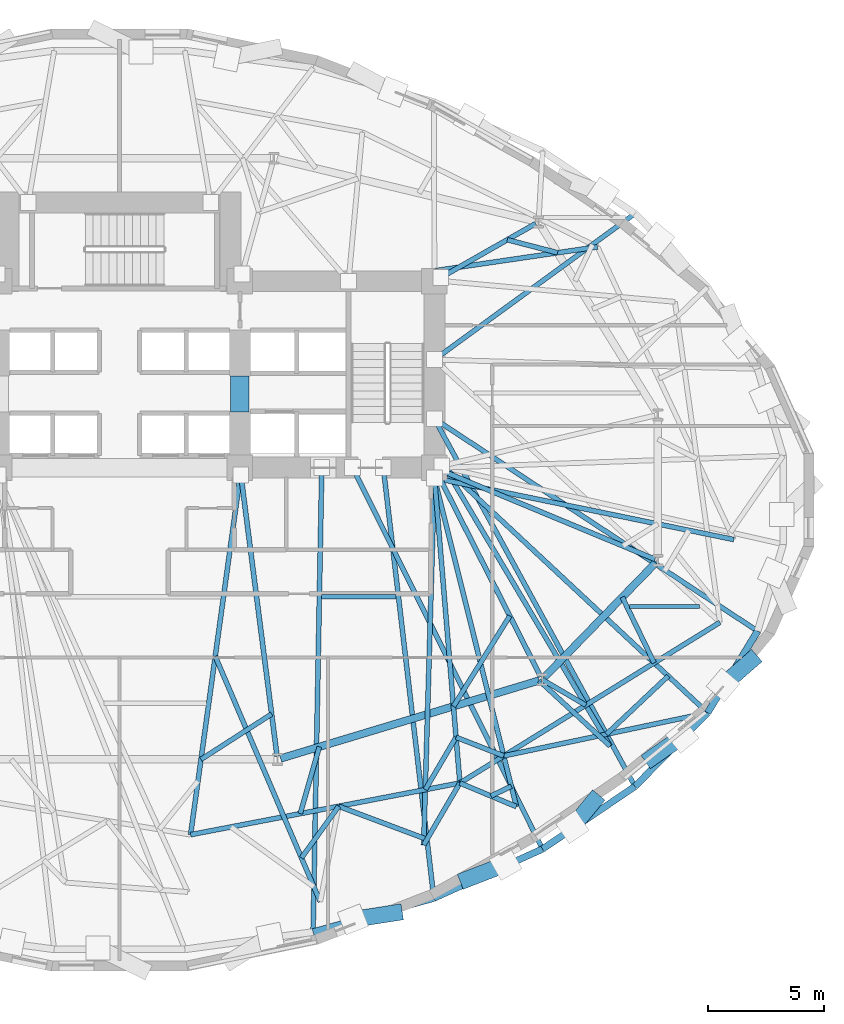
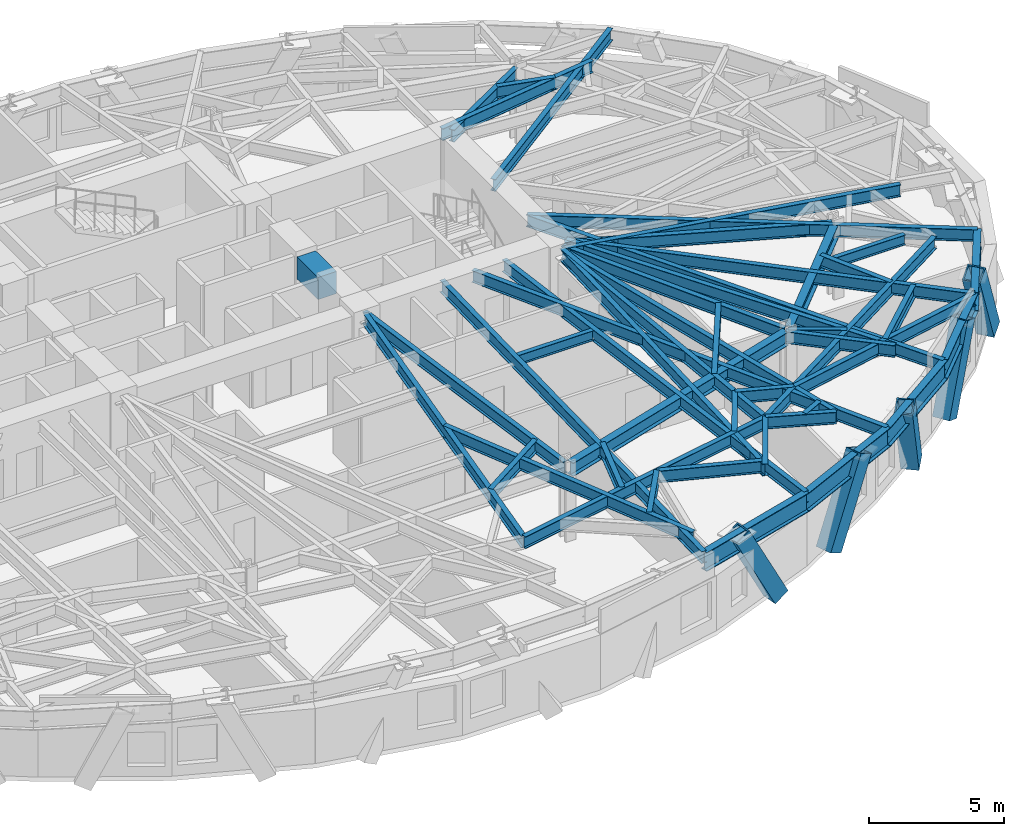
# One storey, part 3 of 14: 47 beams, 5 members.
"""IFC4 building model written with IfcOpenShell, lengths in metres."""

from ifc_helpers import new_model, si_unit, direction, frame, origin, origin_2d, place, context, subcontext, project, spatial, rectangle, hollow_rectangle, i_section, extrude, material, material_profile, profile_set, type_object, element, save


model = new_model("IFC4")

# Units and contexts
model_context = context("Model", 3, precision=1e-05, world=origin(), true_north=direction((0.0, 1.0)))
body_context = subcontext(model_context, "Body", "Model", "MODEL_VIEW")
ifc_project = project(units=[si_unit("LENGTHUNIT", "METRE"), si_unit("AREAUNIT", "SQUARE_METRE"), si_unit("VOLUMEUNIT", "CUBIC_METRE"), si_unit("PLANEANGLEUNIT", "RADIAN"), si_unit("MASSUNIT", "GRAM", prefix="KILO")], contexts=[model_context])

# Site, building, storey
site_placement = place(None, origin())
site = spatial("IfcSite", under=ifc_project, at=site_placement, CompositionType="ELEMENT")
building_placement = place(site_placement, origin())
building = spatial("IfcBuilding", under=site, at=building_placement, Name="Keldmark Tower", CompositionType="ELEMENT")
storey_placement = place(building_placement, frame((0.0, 0.0, 73.800048828125)))
storey = spatial("IfcBuildingStorey", under=building, at=storey_placement, Name="L19", CompositionType="ELEMENT", Elevation=73.800048828125)

# Beams
ifc_material_1 = material(Name="Steel ASTM A992 Grade 50", Category="steel")
ifc_material_profile_1 = material_profile(ifc_material_1, i_section(OverallWidth=0.19091796875, OverallDepth=0.45703125, WebThickness=0.009033203125, FlangeThickness=0.014404296875, at=origin_2d()), Name="W18X50")
ifc_profile_set_1 = profile_set([ifc_material_profile_1], Name="Steel ASTM A992 Grade 50")
beam_type_1 = type_object("IfcBeamType", Name="Composite Floor Joist W18X50", PredefinedType="JOIST", material=ifc_profile_set_1)
beam_1_placement = place(storey_placement, frame((8.727294921875, -4.179931640625, 3.13134765625), z_axis=(1.0, 0.0, 0.0), x_axis=(0.0, 1.0, 0.0)))
element("IfcBeam", 1, at=beam_1_placement, inside=storey, type_object=beam_type_1, Name="L19 Composite Floor Joist J07", PredefinedType="JOIST", context=body_context, shape_type="SweptSolid", body=[
    extrude(i_section(OverallWidth=0.19091796875, OverallDepth=0.45703125, WebThickness=0.009033203125, FlangeThickness=0.014404296875, at=origin_2d()), origin(), (0.0, 0.0, 1.0), 3.22412109375),
])
beam_2_placement = place(storey_placement, frame((22.017578125, -4.60009765625, 3.13134765625), z_axis=(1.0, 0.0, 0.0), x_axis=(0.0, 1.0, 0.0)))
element("IfcBeam", 2, at=beam_2_placement, inside=storey, type_object=beam_type_1, Name="L19 Composite Floor Joist J08", PredefinedType="JOIST", context=body_context, shape_type="SweptSolid", body=[
    extrude(i_section(OverallWidth=0.19091796875, OverallDepth=0.45703125, WebThickness=0.009033203125, FlangeThickness=0.014404296875, at=origin_2d()), origin(), (0.0, 0.0, 1.0), 3.02734375),
])
ifc_material_2 = material(Name="Concrete C70/85", Category="concrete")
ifc_material_profile_2 = material_profile(ifc_material_2, rectangle(XDim=0.800048828125, YDim=1.0, at=origin_2d()), Name="RCB800X1000")
ifc_profile_set_2 = profile_set([ifc_material_profile_2], Name="Concrete C70/85")
beam_type_2 = type_object("IfcBeamType", Name="Core Coupling Beam RCB800X1000", PredefinedType="USERDEFINED", material=ifc_profile_set_2)
beam_3_placement = place(storey_placement, frame((5.199951171875, 3.800048828125, 2.85986328125), z_axis=(0.0, 1.0, 0.0), x_axis=(-1.0, 0.0, 0.0)))
element("IfcBeam", 3, at=beam_3_placement, inside=storey, type_object=beam_type_2, Name="L19 East Core Coupling Beam", ObjectType="COUPLING BEAM", PredefinedType="USERDEFINED", context=body_context, shape_type="SweptSolid", body=[
    extrude(rectangle(XDim=0.800048828125, YDim=1.0, at=origin_2d()), origin(), (0.0, 0.0, 1.0), 1.550048828125),
])

# Members
ifc_material_3 = material(Name="Steel ASTM A572 Grade 50", Category="steel")
ifc_material_profile_3 = material_profile(ifc_material_3, hollow_rectangle(XDim=0.699951171875, YDim=0.699951171875, WallThickness=0.054931640625, at=origin_2d()), Name="BOX700X700X55")
ifc_profile_set_3 = profile_set([ifc_material_profile_3], Name="Steel ASTM A572 Grade 50")
member_type = type_object("IfcMemberType", Name="Diagrid Zone 1 Brace BOX700X700X55", PredefinedType="BRACE", material=ifc_profile_set_3)
member_1_placement = place(storey_placement, frame((11.904052734375, -17.832275390625, -0.280029296875), z_axis=(-0.45861610418, -0.07120375951, 0.885777225728), x_axis=(0.153419788368, -0.988161104546, 0.0)))
element("IfcMember", 4, at=member_1_placement, inside=storey, type_object=member_type, Name="L19 Perimeter Diagrid Brace 13B", PredefinedType="BRACE", context=body_context, shape_type="SweptSolid", body=[
    extrude(hollow_rectangle(XDim=0.699951171875, YDim=0.699951171875, WallThickness=0.054931640625, at=origin_2d()), origin(), (0.0, 0.0, 1.0), 3.973876953125),
])
member_2_placement = place(storey_placement, frame((15.006103515625, -16.376953125, -0.280029296875), z_axis=(0.423112479896, 0.164090510389, 0.891094907266), x_axis=(-0.361578591551, 0.932341633808, 0.0)))
element("IfcMember", 5, at=member_2_placement, inside=storey, type_object=member_type, Name="L19 Perimeter Diagrid Brace 14A", PredefinedType="BRACE", context=body_context, shape_type="SweptSolid", body=[
    extrude(hollow_rectangle(XDim=0.699951171875, YDim=0.699951171875, WallThickness=0.054931640625, at=origin_2d()), origin(), (0.0, 0.0, 1.0), 3.9501953125),
])
member_3_placement = place(storey_placement, frame((20.49462890625, -12.9912109375, -0.280029296875), z_axis=(-0.244267448421, -0.297588932837, 0.922916161249), x_axis=(0.772956287319, -0.634459279933, 0.0)))
element("IfcMember", 6, at=member_3_placement, inside=storey, type_object=member_type, Name="L19 Perimeter Diagrid Brace 14B", PredefinedType="BRACE", context=body_context, shape_type="SweptSolid", body=[
    extrude(hollow_rectangle(XDim=0.699951171875, YDim=0.699951171875, WallThickness=0.054931640625, at=origin_2d()), origin(), (0.0, 0.0, 1.0), 3.81396484375),
])
member_4_placement = place(storey_placement, frame((22.987548828125, -11.135498046875, -0.280029296875), z_axis=(0.340978077507, 0.238167447404, 0.909401021364), x_axis=(-0.57262746717, 0.819815701144, 0.0)))
element("IfcMember", 7, at=member_4_placement, inside=storey, type_object=member_type, Name="L19 Perimeter Diagrid Brace 15A", PredefinedType="BRACE", context=body_context, shape_type="SweptSolid", body=[
    extrude(hollow_rectangle(XDim=0.699951171875, YDim=0.699951171875, WallThickness=0.054931640625, at=origin_2d()), origin(), (0.0, 0.0, 1.0), 3.87060546875),
])
member_5_placement = place(storey_placement, frame((27.286865234375, -6.923828125, -0.280029296875), z_axis=(-0.314959384679, -0.274376382732, 0.908580313787), x_axis=(0.656858226087, -0.754014105187, 0.0)))
element("IfcMember", 8, at=member_5_placement, inside=storey, type_object=member_type, Name="L19 Perimeter Diagrid Brace 15B", PredefinedType="BRACE", context=body_context, shape_type="SweptSolid", body=[
    extrude(hollow_rectangle(XDim=0.699951171875, YDim=0.699951171875, WallThickness=0.054931640625, at=origin_2d()), origin(), (0.0, 0.0, 1.0), 3.874267578125),
])

# Beams
ifc_material_4 = material(Name="Steel ASTM A992 Grade 50", Category="steel")
ifc_material_profile_4 = material_profile(ifc_material_4, i_section(OverallWidth=0.323974609375, OverallDepth=0.611083984375, WebThickness=0.0126953125, FlangeThickness=0.01904296875, at=origin_2d()), Name="W24X104")
ifc_profile_set_4 = profile_set([ifc_material_profile_4], Name="Steel ASTM A992 Grade 50")
beam_type_3 = type_object("IfcBeamType", Name="Primary Floor Girder W24X104", PredefinedType="BEAM", material=ifc_profile_set_4)
beam_4_placement = place(storey_placement, frame((6.9560546875, -11.165283203125, 3.054443359375), z_axis=(0.957346071406, 0.2889437654, 0.0), x_axis=(-0.2889437654, 0.957346071406, 0.0)))
element("IfcBeam", 9, at=beam_4_placement, inside=storey, type_object=beam_type_3, Name="L19 Floor Ring Girder FG-R10", PredefinedType="BEAM", context=body_context, shape_type="SweptSolid", body=[
    extrude(i_section(OverallWidth=0.323974609375, OverallDepth=0.611083984375, WebThickness=0.0126953125, FlangeThickness=0.01904296875, at=origin_2d()), origin(), (0.0, 0.0, 1.0), 11.66015625),
])
beam_5_placement = place(storey_placement, frame((18.350341796875, -7.6552734375, 3.054443359375), z_axis=(0.697210382268, 0.716866572563, 0.0), x_axis=(-0.716866572563, 0.697210382268, 0.0)))
element("IfcBeam", 10, at=beam_5_placement, inside=storey, type_object=beam_type_3, Name="L19 Floor Ring Girder FG-R11", PredefinedType="BEAM", context=body_context, shape_type="SweptSolid", body=[
    extrude(i_section(OverallWidth=0.323974609375, OverallDepth=0.611083984375, WebThickness=0.0126953125, FlangeThickness=0.01904296875, at=origin_2d()), origin(), (0.0, 0.0, 1.0), 6.893310546875),
])
ifc_material_5 = material(Name="Steel ASTM A992 Grade 50", Category="steel")
ifc_material_profile_5 = material_profile(ifc_material_5, i_section(OverallWidth=0.2099609375, OverallDepth=0.537109375, WebThickness=0.010986328125, FlangeThickness=0.017333984375, at=origin_2d()), Name="W21X68")
ifc_profile_set_5 = profile_set([ifc_material_profile_5], Name="Steel ASTM A992 Grade 50")
beam_type_4 = type_object("IfcBeamType", Name="Radial Tie Girder W21X68", PredefinedType="BEAM", material=ifc_profile_set_5)
beam_6_placement = place(storey_placement, frame((16.74658203125, 11.2392578125, 3.091552734375), z_axis=(0.968337574206, -0.249644431903, 0.0), x_axis=(0.249644431903, 0.968337574206, 0.0)))
element("IfcBeam", 11, at=beam_6_placement, inside=storey, type_object=beam_type_4, Name="L19 Framing Pin Header PH-001", PredefinedType="BEAM", context=body_context, shape_type="SweptSolid", body=[
    extrude(i_section(OverallWidth=0.2099609375, OverallDepth=0.537109375, WebThickness=0.010986328125, FlangeThickness=0.017333984375, at=origin_2d()), origin(), (0.0, 0.0, 1.0), 2.244384765625),
])
beam_7_placement = place(storey_placement, frame((13.60009765625, 9.89990234375, 3.091552734375), z_axis=(0.989444637615, 0.144911383594, 0.0), x_axis=(-0.144911383594, 0.989444637615, 0.0)))
element("IfcBeam", 12, at=beam_7_placement, inside=storey, type_object=beam_type_4, Name="L19 Sub-Ring Step Girder STP1-M01", PredefinedType="BEAM", context=body_context, shape_type="SweptSolid", body=[
    extrude(i_section(OverallWidth=0.2099609375, OverallDepth=0.537109375, WebThickness=0.010986328125, FlangeThickness=0.017333984375, at=origin_2d()), origin(), (0.0, 0.0, 1.0), 7.1181640625),
])
beam_8_placement = place(storey_placement, frame((13.60009765625, 0.949951171875, 3.091552734375), z_axis=(0.979505891837, -0.201415510466, 0.0), x_axis=(0.201415510466, 0.979505891837, 0.0)))
element("IfcBeam", 13, at=beam_8_placement, inside=storey, type_object=beam_type_4, Name="L19 Sub-Ring Step Girder STP1-M12", PredefinedType="BEAM", context=body_context, shape_type="SweptSolid", body=[
    extrude(i_section(OverallWidth=0.2099609375, OverallDepth=0.537109375, WebThickness=0.010986328125, FlangeThickness=0.017333984375, at=origin_2d()), origin(), (0.0, 0.0, 1.0), 13.202392578125),
])
beam_9_placement = place(storey_placement, frame((6.569580078125, -9.24462890625, 3.091552734375), z_axis=(-0.841222211031, -0.540689552025, 0.0), x_axis=(0.540689552025, -0.841222211031, 0.0)))
element("IfcBeam", 14, at=beam_9_placement, inside=storey, type_object=beam_type_4, Name="L19 Framing Pin Header PH-011", PredefinedType="BEAM", context=body_context, shape_type="SweptSolid", body=[
    extrude(i_section(OverallWidth=0.2099609375, OverallDepth=0.537109375, WebThickness=0.010986328125, FlangeThickness=0.017333984375, at=origin_2d()), origin(), (0.0, 0.0, 1.0), 3.627197265625),
])
beam_10_placement = place(storey_placement, frame((5.199951171875, 0.949951171875, 3.091552734375), z_axis=(-0.137026756176, -0.990567346571, 0.0), x_axis=(0.990567346571, -0.137026756176, 0.0)))
element("IfcBeam", 15, at=beam_10_placement, inside=storey, type_object=beam_type_4, Name="L19 Sub-Ring Step Girder STP2-M10", PredefinedType="BEAM", context=body_context, shape_type="SweptSolid", body=[
    extrude(i_section(OverallWidth=0.2099609375, OverallDepth=0.537109375, WebThickness=0.010986328125, FlangeThickness=0.017333984375, at=origin_2d()), origin(), (0.0, 0.0, 1.0), 15.552490234375),
])
beam_11_placement = place(storey_placement, frame((16.856201171875, -5.007080078125, 3.091552734375), z_axis=(-0.528829732402, -0.848727938816, 0.0), x_axis=(0.848727938816, -0.528829732402, 0.0)))
element("IfcBeam", 16, at=beam_11_placement, inside=storey, type_object=beam_type_4, Name="L19 Framing Pin Header PH-012", PredefinedType="BEAM", context=body_context, shape_type="SweptSolid", body=[
    extrude(i_section(OverallWidth=0.2099609375, OverallDepth=0.537109375, WebThickness=0.010986328125, FlangeThickness=0.017333984375, at=origin_2d()), origin(), (0.0, 0.0, 1.0), 4.600341796875),
])
beam_12_placement = place(storey_placement, frame((13.60009765625, 0.949951171875, 3.091552734375), z_axis=(0.083204442622, -0.996532498581, 0.0), x_axis=(0.996532498581, 0.083204442622, 0.0)))
element("IfcBeam", 17, at=beam_12_placement, inside=storey, type_object=beam_type_4, Name="L19 Sub-Ring Step Girder STP2-M11", PredefinedType="BEAM", context=body_context, shape_type="SweptSolid", body=[
    extrude(i_section(OverallWidth=0.2099609375, OverallDepth=0.537109375, WebThickness=0.010986328125, FlangeThickness=0.017333984375, at=origin_2d()), origin(), (0.0, 0.0, 1.0), 13.21875),
])
beam_13_placement = place(storey_placement, frame((3.06884765625, -14.455810546875, 3.091552734375), z_axis=(0.982066533302, 0.188534676299, 0.0), x_axis=(-0.188534676299, 0.982066533302, 0.0)))
element("IfcBeam", 18, at=beam_13_placement, inside=storey, type_object=beam_type_4, Name="L19 Perimeter Collector Ring Beam CRG2-M10", PredefinedType="BEAM", context=body_context, shape_type="SweptSolid", body=[
    extrude(i_section(OverallWidth=0.2099609375, OverallDepth=0.537109375, WebThickness=0.010986328125, FlangeThickness=0.017333984375, at=origin_2d()), origin(), (0.0, 0.0, 1.0), 11.843505859375),
])
beam_14_placement = place(storey_placement, frame((14.699951171875, -12.222900390625, 3.091552734375), z_axis=(0.850708987026, 0.525636965399, 0.0), x_axis=(-0.525636965399, 0.850708987026, 0.0)))
element("IfcBeam", 19, at=beam_14_placement, inside=storey, type_object=beam_type_4, Name="L19 Perimeter Collector Ring Beam CRG2-M11", PredefinedType="BEAM", context=body_context, shape_type="SweptSolid", body=[
    extrude(i_section(OverallWidth=0.2099609375, OverallDepth=0.537109375, WebThickness=0.010986328125, FlangeThickness=0.017333984375, at=origin_2d()), origin(), (0.0, 0.0, 1.0), 13.202392578125),
])
beam_15_placement = place(storey_placement, frame((13.60009765625, 6.064208984375, 3.091552734375), z_axis=(0.808455183163, 0.588557742976, 0.0), x_axis=(-0.588557742976, 0.808455183163, 0.0)))
element("IfcBeam", 20, at=beam_15_placement, inside=storey, type_object=beam_type_4, Name="L19 Perimeter Radial Tie Girder RT-04", PredefinedType="BEAM", context=body_context, shape_type="SweptSolid", body=[
    extrude(i_section(OverallWidth=0.2099609375, OverallDepth=0.537109375, WebThickness=0.010986328125, FlangeThickness=0.017333984375, at=origin_2d()), origin(), (0.0, 0.0, 1.0), 10.715087890625),
])
beam_16_placement = place(storey_placement, frame((8.630615234375, -10.659912109375, 3.091552734375), z_axis=(-0.274291359526, -0.961646634731, 0.0), x_axis=(0.961646634731, -0.274291359526, 0.0)))
element("IfcBeam", 21, at=beam_16_placement, inside=storey, type_object=beam_type_4, Name="L19 Framing Pin Header PH-039", PredefinedType="BEAM", context=body_context, shape_type="SweptSolid", body=[
    extrude(i_section(OverallWidth=0.2099609375, OverallDepth=0.537109375, WebThickness=0.010986328125, FlangeThickness=0.017333984375, at=origin_2d()), origin(), (0.0, 0.0, 1.0), 3.001220703125),
])
beam_17_placement = place(storey_placement, frame((14.534912109375, -10.2470703125, 3.091552734375), z_axis=(-0.506483342235, -0.862249745745, 0.0), x_axis=(0.862249745745, -0.506483342235, 0.0)))
element("IfcBeam", 22, at=beam_17_placement, inside=storey, type_object=beam_type_4, Name="L19 Framing Pin Header PH-040", PredefinedType="BEAM", context=body_context, shape_type="SweptSolid", body=[
    extrude(i_section(OverallWidth=0.2099609375, OverallDepth=0.537109375, WebThickness=0.010986328125, FlangeThickness=0.017333984375, at=origin_2d()), origin(), (0.0, 0.0, 1.0), 2.624267578125),
])
beam_18_placement = place(storey_placement, frame((13.60009765625, 0.949951171875, 3.091552734375), z_axis=(-0.029295004774, -0.999570809245, 0.0), x_axis=(0.999570809245, -0.029295004774, 0.0)))
element("IfcBeam", 23, at=beam_18_placement, inside=storey, type_object=beam_type_4, Name="L19 Intermediate Radial Step Girder RT-27M", PredefinedType="BEAM", context=body_context, shape_type="SweptSolid", body=[
    extrude(i_section(OverallWidth=0.2099609375, OverallDepth=0.537109375, WebThickness=0.010986328125, FlangeThickness=0.017333984375, at=origin_2d()), origin(), (0.0, 0.0, 1.0), 15.859375),
])
beam_19_placement = place(storey_placement, frame((14.699951171875, -12.222900390625, 3.091552734375), z_axis=(-0.504184083392, -0.863596207758, 0.0), x_axis=(0.863596207758, -0.504184083392, 0.0)))
element("IfcBeam", 24, at=beam_19_placement, inside=storey, type_object=beam_type_4, Name="L19 Local Collector Chord RT-27C", PredefinedType="BEAM", context=body_context, shape_type="SweptSolid", body=[
    extrude(i_section(OverallWidth=0.2099609375, OverallDepth=0.537109375, WebThickness=0.010986328125, FlangeThickness=0.017333984375, at=origin_2d()), origin(), (0.0, 0.0, 1.0), 3.10302734375),
])
beam_20_placement = place(storey_placement, frame((9.4658203125, -13.227783203125, 3.091552734375), z_axis=(0.936242908484, -0.351353406578, 0.0), x_axis=(0.351353406578, 0.936242908484, 0.0)))
element("IfcBeam", 25, at=beam_20_placement, inside=storey, type_object=beam_type_4, Name="L19 Framing Pin Header PH-041", PredefinedType="BEAM", context=body_context, shape_type="SweptSolid", body=[
    extrude(i_section(OverallWidth=0.2099609375, OverallDepth=0.537109375, WebThickness=0.010986328125, FlangeThickness=0.017333984375, at=origin_2d()), origin(), (0.0, 0.0, 1.0), 4.07177734375),
])
beam_21_placement = place(storey_placement, frame((11.392822265625, 1.39990234375, 3.091552734375), z_axis=(0.116599927609, -0.993178965183, 0.0), x_axis=(0.993178965183, 0.116599927609, 0.0)))
element("IfcBeam", 26, at=beam_21_placement, inside=storey, type_object=beam_type_4, Name="L19 Perimeter Radial Tie Girder RT-27", PredefinedType="BEAM", context=body_context, shape_type="SweptSolid", body=[
    extrude(i_section(OverallWidth=0.2099609375, OverallDepth=0.537109375, WebThickness=0.010986328125, FlangeThickness=0.017333984375, at=origin_2d()), origin(), (0.0, 0.0, 1.0), 18.72509765625),
])
beam_22_placement = place(storey_placement, frame((14.534912109375, -10.2470703125, 3.091552734375), z_axis=(0.931185740526, -0.364545081769, 0.0), x_axis=(0.364545081769, 0.931185740526, 0.0)))
element("IfcBeam", 27, at=beam_22_placement, inside=storey, type_object=beam_type_4, Name="L19 Framing Pin Header PH-042", PredefinedType="BEAM", context=body_context, shape_type="SweptSolid", body=[
    extrude(i_section(OverallWidth=0.2099609375, OverallDepth=0.537109375, WebThickness=0.010986328125, FlangeThickness=0.017333984375, at=origin_2d()), origin(), (0.0, 0.0, 1.0), 2.210693359375),
])
beam_23_placement = place(storey_placement, frame((13.60009765625, 0.949951171875, 3.091552734375), z_axis=(0.241977966456, -0.970281744521, 0.0), x_axis=(0.970281744521, 0.241977966456, 0.0)))
element("IfcBeam", 28, at=beam_23_placement, inside=storey, type_object=beam_type_4, Name="L19 Intermediate Radial Step Girder RT-28M", PredefinedType="BEAM", context=body_context, shape_type="SweptSolid", body=[
    extrude(i_section(OverallWidth=0.2099609375, OverallDepth=0.537109375, WebThickness=0.010986328125, FlangeThickness=0.017333984375, at=origin_2d()), origin(), (0.0, 0.0, 1.0), 14.628662109375),
])
beam_24_placement = place(storey_placement, frame((14.699951171875, -12.222900390625, 3.091552734375), z_axis=(0.922491444197, -0.386017532483, 0.0), x_axis=(0.386017532483, 0.922491444197, 0.0)))
element("IfcBeam", 29, at=beam_24_placement, inside=storey, type_object=beam_type_4, Name="L19 Local Collector Chord RT-28C", PredefinedType="BEAM", context=body_context, shape_type="SweptSolid", body=[
    extrude(i_section(OverallWidth=0.2099609375, OverallDepth=0.537109375, WebThickness=0.010986328125, FlangeThickness=0.017333984375, at=origin_2d()), origin(), (0.0, 0.0, 1.0), 2.64501953125),
])
beam_25_placement = place(storey_placement, frame((16.0419921875, -12.784423828125, 3.091552734375), z_axis=(0.901624702603, 0.432519243105, 0.0), x_axis=(-0.432519243105, 0.901624702603, 0.0)))
element("IfcBeam", 30, at=beam_25_placement, inside=storey, type_object=beam_type_4, Name="L19 Framing Pin Header PH-043", PredefinedType="BEAM", context=body_context, shape_type="SweptSolid", body=[
    extrude(i_section(OverallWidth=0.2099609375, OverallDepth=0.537109375, WebThickness=0.010986328125, FlangeThickness=0.017333984375, at=origin_2d()), origin(), (0.0, 0.0, 1.0), 0.974365234375),
])
beam_26_placement = place(storey_placement, frame((10.064208984375, 1.39990234375, 3.091552734375), z_axis=(0.445886573521, -0.895089472373, 0.0), x_axis=(0.895089472373, 0.445886573521, 0.0)))
element("IfcBeam", 31, at=beam_26_placement, inside=storey, type_object=beam_type_4, Name="L19 Perimeter Radial Tie Girder RT-28", PredefinedType="BEAM", context=body_context, shape_type="SweptSolid", body=[
    extrude(i_section(OverallWidth=0.2099609375, OverallDepth=0.537109375, WebThickness=0.010986328125, FlangeThickness=0.017333984375, at=origin_2d()), origin(), (0.0, 0.0, 1.0), 18.404541015625),
])
beam_27_placement = place(storey_placement, frame((18.252685546875, -7.755615234375, 3.091552734375), z_axis=(0.862398829525, -0.506229452753, 0.0), x_axis=(0.506229452753, 0.862398829525, 0.0)))
element("IfcBeam", 32, at=beam_27_placement, inside=storey, type_object=beam_type_4, Name="L19 Framing Pin Header PH-044", PredefinedType="BEAM", context=body_context, shape_type="SweptSolid", body=[
    extrude(i_section(OverallWidth=0.2099609375, OverallDepth=0.537109375, WebThickness=0.010986328125, FlangeThickness=0.017333984375, at=origin_2d()), origin(), (0.0, 0.0, 1.0), 2.1865234375),
])
beam_28_placement = place(storey_placement, frame((14.050048828125, 1.39990234375, 3.091552734375), z_axis=(0.510234965688, -0.860035045675, 0.0), x_axis=(0.860035045675, 0.510234965688, 0.0)))
element("IfcBeam", 33, at=beam_28_placement, inside=storey, type_object=beam_type_4, Name="L19 Intermediate Radial Step Girder RT-29M", PredefinedType="BEAM", context=body_context, shape_type="SweptSolid", body=[
    extrude(i_section(OverallWidth=0.2099609375, OverallDepth=0.537109375, WebThickness=0.010986328125, FlangeThickness=0.017333984375, at=origin_2d()), origin(), (0.0, 0.0, 1.0), 13.9833984375),
])
beam_29_placement = place(storey_placement, frame((18.118896484375, -7.796142578125, 3.091552734375), z_axis=(0.734803444627, -0.678280102733, 0.0), x_axis=(0.678280102733, 0.734803444627, 0.0)))
element("IfcBeam", 34, at=beam_29_placement, inside=storey, type_object=beam_type_4, Name="L19 Local Collector Chord RT-29C", PredefinedType="BEAM", context=body_context, shape_type="SweptSolid", body=[
    extrude(i_section(OverallWidth=0.2099609375, OverallDepth=0.537109375, WebThickness=0.010986328125, FlangeThickness=0.017333984375, at=origin_2d()), origin(), (0.0, 0.0, 1.0), 4.17236328125),
])
beam_30_placement = place(storey_placement, frame((21.714599609375, -4.196044921875, 3.091552734375), z_axis=(0.43595291402, -0.899969475459, 0.0), x_axis=(0.899969475459, 0.43595291402, 0.0)))
element("IfcBeam", 35, at=beam_30_placement, inside=storey, type_object=beam_type_4, Name="L19 Framing Pin Header PH-045", PredefinedType="BEAM", context=body_context, shape_type="SweptSolid", body=[
    extrude(i_section(OverallWidth=0.2099609375, OverallDepth=0.537109375, WebThickness=0.010986328125, FlangeThickness=0.017333984375, at=origin_2d()), origin(), (0.0, 0.0, 1.0), 3.157958984375),
])
beam_31_placement = place(storey_placement, frame((14.050048828125, 1.39990234375, 3.091552734375), z_axis=(0.731077755619, -0.682294155947, 0.0), x_axis=(0.682294155947, 0.731077755619, 0.0)))
element("IfcBeam", 36, at=beam_31_placement, inside=storey, type_object=beam_type_4, Name="L19 Perimeter Radial Tie Girder RT-30", PredefinedType="BEAM", context=body_context, shape_type="SweptSolid", body=[
    extrude(i_section(OverallWidth=0.2099609375, OverallDepth=0.537109375, WebThickness=0.010986328125, FlangeThickness=0.017333984375, at=origin_2d()), origin(), (0.0, 0.0, 1.0), 15.524169921875),
])
beam_32_placement = place(storey_placement, frame((13.60009765625, 3.507080078125, 3.091552734375), z_axis=(0.835864929931, -0.548935168223, 0.0), x_axis=(0.548935168223, 0.835864929931, 0.0)))
element("IfcBeam", 37, at=beam_32_placement, inside=storey, type_object=beam_type_4, Name="L19 Perimeter Radial Tie Girder RT-31", PredefinedType="BEAM", context=body_context, shape_type="SweptSolid", body=[
    extrude(i_section(OverallWidth=0.2099609375, OverallDepth=0.537109375, WebThickness=0.010986328125, FlangeThickness=0.017333984375, at=origin_2d()), origin(), (0.0, 0.0, 1.0), 16.700927734375),
])
beam_33_placement = place(storey_placement, frame((9.4658203125, -13.227783203125, 3.091552734375), z_axis=(-0.585081668186, -0.810974377865, 0.0), x_axis=(0.810974377865, -0.585081668186, 0.0)))
element("IfcBeam", 38, at=beam_33_placement, inside=storey, type_object=beam_type_4, Name="L19 Framing Pin Header PH-050", PredefinedType="BEAM", context=body_context, shape_type="SweptSolid", body=[
    extrude(i_section(OverallWidth=0.2099609375, OverallDepth=0.537109375, WebThickness=0.010986328125, FlangeThickness=0.017333984375, at=origin_2d()), origin(), (0.0, 0.0, 1.0), 2.747314453125),
])
beam_34_placement = place(storey_placement, frame((4.134521484375, -6.7529296875, 3.091552734375), z_axis=(0.393407899904, -0.919364032521, 0.0), x_axis=(0.919364032521, 0.393407899904, 0.0)))
element("IfcBeam", 39, at=beam_34_placement, inside=storey, type_object=beam_type_4, Name="L19 Crown Step Radial Girder RT-26RN1", PredefinedType="BEAM", context=body_context, shape_type="SweptSolid", body=[
    extrude(i_section(OverallWidth=0.2099609375, OverallDepth=0.537109375, WebThickness=0.010986328125, FlangeThickness=0.017333984375, at=origin_2d()), origin(), (0.0, 0.0, 1.0), 11.524658203125),
])
beam_35_placement = place(storey_placement, frame((8.735595703125, 1.39990234375, 3.091552734375), z_axis=(-0.018714698625, -0.999824864692, 0.0), x_axis=(0.999824864692, -0.018714698625, 0.0)))
element("IfcBeam", 40, at=beam_35_placement, inside=storey, type_object=beam_type_4, Name="L19 Perimeter Radial Tie Girder RT-26R", PredefinedType="BEAM", context=body_context, shape_type="SweptSolid", body=[
    extrude(i_section(OverallWidth=0.2099609375, OverallDepth=0.537109375, WebThickness=0.010986328125, FlangeThickness=0.017333984375, at=origin_2d()), origin(), (0.0, 0.0, 1.0), 20.063720703125),
])
beam_36_placement = place(storey_placement, frame((16.593505859375, -11.052978515625, 3.091552734375), z_axis=(0.978393514236, 0.206751375572, 0.0), x_axis=(-0.206751375572, 0.978393514236, 0.0)))
element("IfcBeam", 41, at=beam_36_placement, inside=storey, type_object=beam_type_4, Name="L19 Straddling Support Chord RT-29RB", PredefinedType="BEAM", context=body_context, shape_type="SweptSolid", body=[
    extrude(i_section(OverallWidth=0.2099609375, OverallDepth=0.537109375, WebThickness=0.010986328125, FlangeThickness=0.017333984375, at=origin_2d()), origin(), (0.0, 0.0, 1.0), 9.00048828125),
])
beam_37_placement = place(storey_placement, frame((23.697021484375, -7.603515625, 3.091552734375), z_axis=(-0.727763374408, -0.685828310053, 0.0), x_axis=(0.685828310053, -0.727763374408, 0.0)))
element("IfcBeam", 42, at=beam_37_placement, inside=storey, type_object=beam_type_4, Name="L19 Framing Pin Header PH-052", PredefinedType="BEAM", context=body_context, shape_type="SweptSolid", body=[
    extrude(i_section(OverallWidth=0.2099609375, OverallDepth=0.537109375, WebThickness=0.010986328125, FlangeThickness=0.017333984375, at=origin_2d()), origin(), (0.0, 0.0, 1.0), 3.661865234375),
])
beam_38_placement = place(storey_placement, frame((13.60009765625, 3.507080078125, 3.091552734375), z_axis=(0.478939135108, -0.877848110359, 0.0), x_axis=(0.877848110359, 0.478939135108, 0.0)))
element("IfcBeam", 43, at=beam_38_placement, inside=storey, type_object=beam_type_4, Name="L19 Perimeter Radial Tie Girder RT-29R", PredefinedType="BEAM", context=body_context, shape_type="SweptSolid", body=[
    extrude(i_section(OverallWidth=0.2099609375, OverallDepth=0.537109375, WebThickness=0.010986328125, FlangeThickness=0.017333984375, at=origin_2d()), origin(), (0.0, 0.0, 1.0), 18.087158203125),
])
ifc_material_6 = material(Name="Steel ASTM A992 Grade 50", Category="steel")
ifc_material_profile_6 = material_profile(ifc_material_6, i_section(OverallWidth=0.214111328125, OverallDepth=0.549072265625, WebThickness=0.0146484375, FlangeThickness=0.023681640625, at=origin_2d()), Name="W21X93")
ifc_profile_set_6 = profile_set([ifc_material_profile_6], Name="Steel ASTM A992 Grade 50")
beam_type_5 = type_object("IfcBeamType", Name="Radial Tie Girder W21X93", PredefinedType="BEAM", material=ifc_profile_set_6)
beam_39_placement = place(storey_placement, frame((17.97607421875, 11.938232421875, 3.08544921875), z_axis=(-0.869299282131, -0.494286109542, 0.0), x_axis=(0.494286109542, -0.869299282131, 0.0)))
element("IfcBeam", 44, at=beam_39_placement, inside=storey, type_object=beam_type_5, Name="L19 Floor Radial Girder FG-C02", PredefinedType="BEAM", context=body_context, shape_type="SweptSolid", body=[
    extrude(i_section(OverallWidth=0.214111328125, OverallDepth=0.549072265625, WebThickness=0.0146484375, FlangeThickness=0.023681640625, at=origin_2d()), origin(), (0.0, 0.0, 1.0), 4.714111328125),
])
beam_40_placement = place(storey_placement, frame((6.80419921875, -11.06689453125, 3.08544921875), z_axis=(-0.127634898593, 0.99182122011, 0.0), x_axis=(-0.99182122011, -0.127634898593, 0.0)))
element("IfcBeam", 45, at=beam_40_placement, inside=storey, type_object=beam_type_5, Name="L19 Floor Radial Girder FG-C10", PredefinedType="BEAM", context=body_context, shape_type="SweptSolid", body=[
    extrude(i_section(OverallWidth=0.214111328125, OverallDepth=0.549072265625, WebThickness=0.0146484375, FlangeThickness=0.023681640625, at=origin_2d()), origin(), (0.0, 0.0, 1.0), 12.24951171875),
])
beam_41_placement = place(storey_placement, frame((18.189453125, -7.630859375, 3.08544921875), z_axis=(-0.453037526986, 0.891491446478, 0.0), x_axis=(-0.891491446478, -0.453037526986, 0.0)))
element("IfcBeam", 46, at=beam_41_placement, inside=storey, type_object=beam_type_5, Name="L19 Floor Radial Girder FG-C11", PredefinedType="BEAM", context=body_context, shape_type="SweptSolid", body=[
    extrude(i_section(OverallWidth=0.214111328125, OverallDepth=0.549072265625, WebThickness=0.0146484375, FlangeThickness=0.023681640625, at=origin_2d()), origin(), (0.0, 0.0, 1.0), 9.81005859375),
])
beam_42_placement = place(storey_placement, frame((23.124755859375, -2.5595703125, 3.08544921875), z_axis=(-0.923390978102, 0.383860784088, 0.0), x_axis=(-0.383860784088, -0.923390978102, 0.0)))
element("IfcBeam", 47, at=beam_42_placement, inside=storey, type_object=beam_type_5, Name="L19 Floor Radial Girder FG-C12", PredefinedType="BEAM", context=body_context, shape_type="SweptSolid", body=[
    extrude(i_section(OverallWidth=0.214111328125, OverallDepth=0.549072265625, WebThickness=0.0146484375, FlangeThickness=0.023681640625, at=origin_2d()), origin(), (0.0, 0.0, 1.0), 9.994873046875),
])
ifc_material_7 = material(Name="Steel ASTM A992 Grade 50", Category="steel")
ifc_material_profile_7 = material_profile(ifc_material_7, i_section(OverallWidth=0.2919921875, OverallDepth=0.85888671875, WebThickness=0.01708984375, FlangeThickness=0.031005859375, at=origin_2d()), Name="W33X169")
ifc_profile_set_7 = profile_set([ifc_material_profile_7], Name="Steel ASTM A992 Grade 50")
beam_type_6 = type_object("IfcBeamType", Name="Spandrel Ring Beam W33X169", PredefinedType="SPANDREL", material=ifc_profile_set_7)
beam_43_placement = place(storey_placement, frame((8.360107421875, -18.660400390625, 2.930419921875), z_axis=(0.962849260033, 0.270039446109, 0.0), x_axis=(-0.270039446109, 0.962849260033, 0.0)))
element("IfcBeam", 48, at=beam_43_placement, inside=storey, type_object=beam_type_6, Name="L19 Perimeter Spandrel Ring Beam SRB-26", PredefinedType="SPANDREL", context=body_context, shape_type="SweptSolid", body=[
    extrude(i_section(OverallWidth=0.2919921875, OverallDepth=0.85888671875, WebThickness=0.01708984375, FlangeThickness=0.031005859375, at=origin_2d()), origin(), (0.0, 0.0, 1.0), 5.417236328125),
])
beam_44_placement = place(storey_placement, frame((13.576171875, -17.197509765625, 2.930419921875), z_axis=(0.911096907159, 0.412192219439, 0.0), x_axis=(-0.412192219439, 0.911096907159, 0.0)))
element("IfcBeam", 49, at=beam_44_placement, inside=storey, type_object=beam_type_6, Name="L19 Perimeter Spandrel Ring Beam SRB-27", PredefinedType="SPANDREL", context=body_context, shape_type="SweptSolid", body=[
    extrude(i_section(OverallWidth=0.2919921875, OverallDepth=0.85888671875, WebThickness=0.01708984375, FlangeThickness=0.031005859375, at=origin_2d()), origin(), (0.0, 0.0, 1.0), 5.15234375),
])
beam_45_placement = place(storey_placement, frame((18.2705078125, -15.07373046875, 2.930419921875), z_axis=(0.82804003003, 0.560668983151, 0.0), x_axis=(-0.560668983151, 0.82804003003, 0.0)))
element("IfcBeam", 50, at=beam_45_placement, inside=storey, type_object=beam_type_6, Name="L19 Perimeter Spandrel Ring Beam SRB-28", PredefinedType="SPANDREL", context=body_context, shape_type="SweptSolid", body=[
    extrude(i_section(OverallWidth=0.2919921875, OverallDepth=0.85888671875, WebThickness=0.01708984375, FlangeThickness=0.031005859375, at=origin_2d()), origin(), (0.0, 0.0, 1.0), 4.8212890625),
])
beam_46_placement = place(storey_placement, frame((22.2626953125, -12.37060546875, 2.930419921875), z_axis=(0.702416934119, 0.711765727373, 0.0), x_axis=(-0.711765727373, 0.702416934119, 0.0)))
element("IfcBeam", 51, at=beam_46_placement, inside=storey, type_object=beam_type_6, Name="L19 Perimeter Spandrel Ring Beam SRB-29", PredefinedType="SPANDREL", context=body_context, shape_type="SweptSolid", body=[
    extrude(i_section(OverallWidth=0.2919921875, OverallDepth=0.85888671875, WebThickness=0.01708984375, FlangeThickness=0.031005859375, at=origin_2d()), origin(), (0.0, 0.0, 1.0), 4.465576171875),
])
beam_47_placement = place(storey_placement, frame((25.3994140625, -9.192138671875, 2.930419921875), z_axis=(0.521848315684, 0.853038296572, 0.0), x_axis=(-0.853038296572, 0.521848315684, 0.0)))
element("IfcBeam", 52, at=beam_47_placement, inside=storey, type_object=beam_type_6, Name="L19 Perimeter Spandrel Ring Beam SRB-30", PredefinedType="SPANDREL", context=body_context, shape_type="SweptSolid", body=[
    extrude(i_section(OverallWidth=0.2919921875, OverallDepth=0.85888671875, WebThickness=0.01708984375, FlangeThickness=0.031005859375, at=origin_2d()), origin(), (0.0, 0.0, 1.0), 4.139892578125),
])

save(model, "model.ifc")
